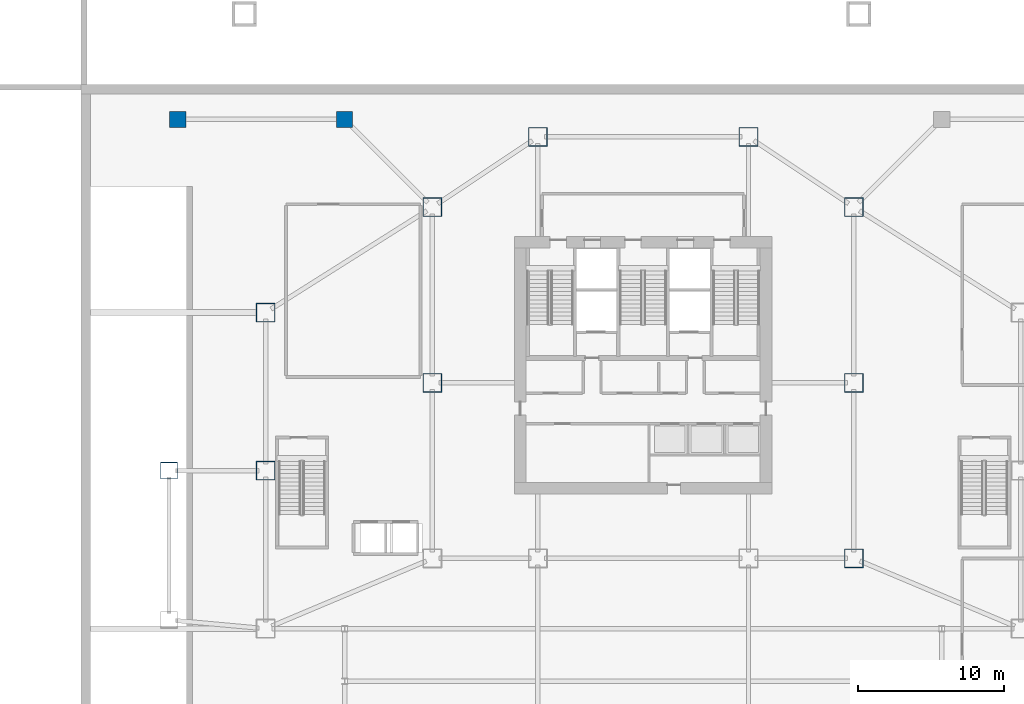
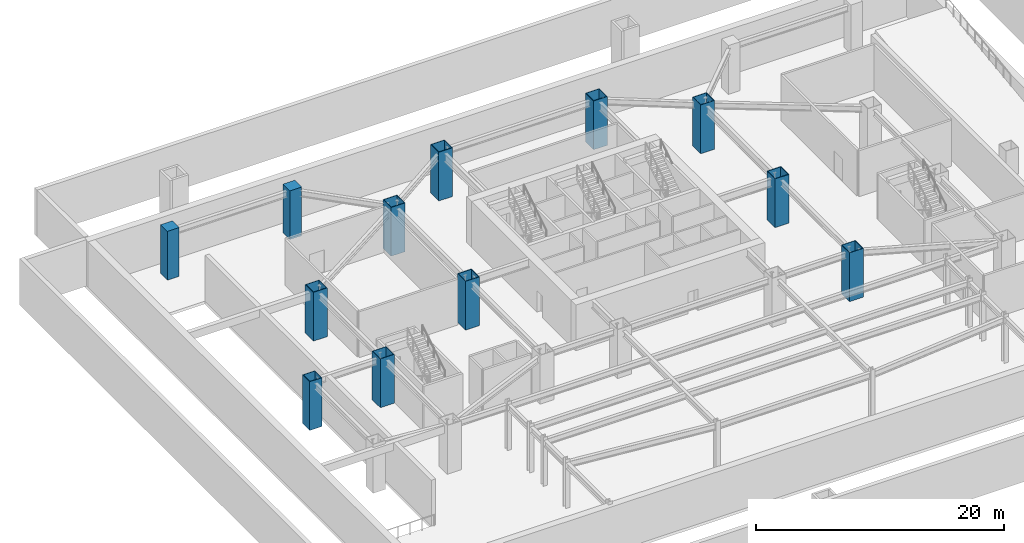
# One storey, part 2 of 15: 12 columns.
"""IFC4 building model written with IfcOpenShell, lengths in metres."""

import ifcopenshell
import ifcopenshell.guid

model = None  # the IFC model being written
_history = None  # IfcOwnerHistory: only IFC2X3 demands one
_inside = {}  # id of a spatial element -> (the spatial element, [elements in it])
_under = {}  # id of a project, library or spatial element -> (it, [spatial elements below it])
_declared = {}  # id of a project -> (the project, [libraries it declares])
_typed = {}  # id of a type object -> (the type object, [elements of that type])
_made_of = {}  # id of a material, layer set ... -> (it, [elements and type objects made of it])


def new_model(schema):
    """Start an empty IFC model of exactly this schema.

    Asked for "IFC4X3", IfcOpenShell would pick the latest addendum, in which some entities
    have other attributes; the version numbers below select the first issue.
    IFC2X3 requires an IfcOwnerHistory on every rooted entity: one is made here for all.
    """
    global model, _history
    if schema == "IFC4X3":
        model = ifcopenshell.file(schema_version=(4, 3, 0, 0))
    else:
        model = ifcopenshell.file(schema=schema)
    _inside.clear()
    _under.clear()
    _declared.clear()
    _typed.clear()
    _made_of.clear()
    _history = None
    if model.schema == "IFC2X3":
        org = make("IfcOrganization", Name="unknown")
        user = make(
            "IfcPersonAndOrganization",
            ThePerson=make("IfcPerson", FamilyName="unknown"),
            TheOrganization=org,
        )
        app = make(
            "IfcApplication",
            ApplicationDeveloper=org,
            Version="unknown",
            ApplicationFullName="unknown",
            ApplicationIdentifier="unknown",
        )
        _history = make(
            "IfcOwnerHistory",
            OwningUser=user,
            OwningApplication=app,
            ChangeAction="ADDED",
            CreationDate=0,
        )
    return model


def make(cls, **values):
    """One entity of the class cls with the attributes given. An attribute that is None is left unset."""
    return model.create_entity(
        cls, **{name: value for name, value in values.items() if value is not None}
    )


def rooted(cls, **values):
    """An entity with a GlobalId (a new one), such as an element, a storey or a relation."""
    return make(cls, GlobalId=ifcopenshell.guid.new(), OwnerHistory=_history, **values)


def si_unit(unit_type, name, prefix=None):
    """IfcSIUnit, for example si_unit("LENGTHUNIT", "METRE", prefix="MILLI")."""
    return make("IfcSIUnit", UnitType=unit_type, Prefix=prefix, Name=name)


def assignment(units):
    """IfcUnitAssignment: the units of a project."""
    return None if units is None else make("IfcUnitAssignment", Units=units)


def point(xyz):
    """IfcCartesianPoint."""
    return None if xyz is None else make("IfcCartesianPoint", Coordinates=xyz)


def direction(xyz):
    """IfcDirection."""
    return None if xyz is None else make("IfcDirection", DirectionRatios=xyz)


def frame(location, z_axis=None, x_axis=None):
    """IfcAxis2Placement3D, a coordinate frame: its origin and axes. An axis left out is left unset."""
    return make(
        "IfcAxis2Placement3D",
        Location=point(location),
        Axis=direction(z_axis),
        RefDirection=direction(x_axis),
    )


def frame_2d(location, x_axis=None):
    """IfcAxis2Placement2D, a coordinate frame in the plane: its origin and x axis."""
    return make(
        "IfcAxis2Placement2D", Location=point(location), RefDirection=direction(x_axis)
    )


def origin():
    """The frame at (0, 0, 0) with its axes left unset."""
    return frame((0.0, 0.0, 0.0))


def origin_2d():
    """The frame at (0, 0) in the plane with its x axis left unset."""
    return frame_2d((0.0, 0.0))


def place(relative_to, where):
    """IfcLocalPlacement: puts the frame where relative to a parent placement (None: the world)."""
    return make(
        "IfcLocalPlacement", PlacementRelTo=relative_to, RelativePlacement=where
    )


def context(
    kind, dimensions, precision=None, world=None, true_north=None, identifier=None
):
    """IfcGeometricRepresentationContext, for example the 3D "Model" context."""
    return make(
        "IfcGeometricRepresentationContext",
        ContextIdentifier=identifier,
        ContextType=kind,
        CoordinateSpaceDimension=dimensions,
        Precision=precision,
        WorldCoordinateSystem=world,
        TrueNorth=true_north,
    )


def subcontext(parent, identifier, kind, view, scale=None):
    """IfcGeometricRepresentationSubContext, for example "Body" below "Model"."""
    return make(
        "IfcGeometricRepresentationSubContext",
        ContextIdentifier=identifier,
        ContextType=kind,
        ParentContext=parent,
        TargetScale=scale,
        TargetView=view,
    )


def project(units=None, contexts=None):
    """IfcProject with its units and contexts."""
    return rooted(
        "IfcProject",
        Name="project",
        RepresentationContexts=contexts,
        UnitsInContext=assignment(units),
    )


def spatial(cls, under=None, at=None, **own):
    """A site, building, storey or space (cls), placed at a placement, below another one or the project."""
    s = rooted(cls, ObjectPlacement=at, **own)
    if under is not None:
        _under.setdefault(under.id(), (under, []))[1].append(s)
    return s


def profile(cls, at=None, kind="AREA", **sizes):
    """A parametric profile (cls). Its sizes go by their IFC names, for example OverallWidth=200.0."""
    return make(cls, ProfileType=kind, Position=at, **sizes)


def rectangle(**sizes):
    """IfcRectangleProfileDef."""
    return profile("IfcRectangleProfileDef", **sizes)


def hollow_rectangle(**sizes):
    """IfcRectangleHollowProfileDef."""
    return profile("IfcRectangleHollowProfileDef", **sizes)


def extrude(swept, where, along, depth):
    """IfcExtrudedAreaSolid: the profile swept, set in the frame where, extruded along a direction by depth."""
    return make(
        "IfcExtrudedAreaSolid",
        SweptArea=swept,
        Position=where,
        ExtrudedDirection=direction(along),
        Depth=depth,
    )


def shape(context_of_items, identifier, shape_type, items):
    """IfcShapeRepresentation: the items that make up one representation, for example the "Body"."""
    return make(
        "IfcShapeRepresentation",
        ContextOfItems=context_of_items,
        RepresentationIdentifier=identifier,
        RepresentationType=shape_type,
        Items=items,
    )


def material(Name=None, Category=None):
    """IfcMaterial."""
    return make("IfcMaterial", Name=Name, Category=Category)


def material_profile(
    of_material, cross_section, Name=None, Category=None, Priority=None
):
    """IfcMaterialProfile: a cross section and its material."""
    return make(
        "IfcMaterialProfile",
        Name=Name,
        Material=of_material,
        Profile=cross_section,
        Priority=Priority,
        Category=Category,
    )


def profile_set(profiles, Name=None, composite=None):
    """IfcMaterialProfileSet."""
    return make(
        "IfcMaterialProfileSet",
        Name=Name,
        MaterialProfiles=profiles,
        CompositeProfile=composite,
    )


def made_of(thing, what):
    """Note that an element or type object is made of a material, layer set ...; save() writes the relation."""
    if what is not None:
        _made_of.setdefault(what.id(), (what, []))[1].append(thing)
    return thing


def type_object(cls, material=None, **own):
    """A type object (cls), such as IfcWallType, which elements share."""
    return made_of(rooted(cls, **own), material)


def element(
    cls,
    number,
    at=None,
    inside=None,
    cuts=None,
    type_object=None,
    material=None,
    context=None,
    identifier="Body",
    shape_type=None,
    held_by="IfcProductDefinitionShape",
    body=None,
    shapes=None,
    **own,
):
    """One element of the class cls, such as IfcWall. Its Tag is "e" and its number.

    at: its placement. inside: the storey or other place that contains it. cuts: it is an
    opening in that element (IfcRelVoidsElement). A single representation is given by context,
    identifier, shape_type and body (its items); several are given by shapes. held_by: the class
    of the entity that holds the representations. save() writes the other relations.
    """
    e = rooted(cls, Tag="e%d" % number, ObjectPlacement=at, **own)
    if body is not None:
        shapes = [shape(context, identifier, shape_type, body)]
    if shapes is not None:
        e.Representation = make(held_by, Representations=shapes)
    if inside is not None:
        _inside.setdefault(inside.id(), (inside, []))[1].append(e)
    if cuts is not None:
        rooted(
            "IfcRelVoidsElement", RelatingBuildingElement=cuts, RelatedOpeningElement=e
        )
    if type_object is not None:
        _typed.setdefault(type_object.id(), (type_object, []))[1].append(e)
    return made_of(e, material)


def aggregate(whole, parts):
    """IfcRelAggregates: a whole, such as a stair, and the parts it consists of."""
    return rooted("IfcRelAggregates", RelatingObject=whole, RelatedObjects=parts)


def save(model, path):
    """Write the relations noted so far, then the file.

    IfcRelAggregates (storeys below a building ...), IfcRelContainedInSpatialStructure (elements
    in a storey), IfcRelDefinesByType, IfcRelAssociatesMaterial and IfcRelDeclares: one each for
    every whole, place, type object, material and project.
    """
    for whole, parts in _under.values():
        aggregate(whole, parts)
    for where, things in _inside.values():
        rooted(
            "IfcRelContainedInSpatialStructure",
            RelatedElements=things,
            RelatingStructure=where,
        )
    for kind, things in _typed.values():
        rooted("IfcRelDefinesByType", RelatedObjects=things, RelatingType=kind)
    for what, things in _made_of.values():
        rooted("IfcRelAssociatesMaterial", RelatedObjects=things, RelatingMaterial=what)
    for by, libraries in _declared.values():
        rooted("IfcRelDeclares", RelatingContext=by, RelatedDefinitions=libraries)
    model.write(path)


model = new_model("IFC4")

# Units and contexts
model_context = context("Model", 3, precision=1e-05, world=origin(), true_north=direction((0.0, 1.0)))
body_context = subcontext(model_context, "Body", "Model", "MODEL_VIEW")
ifc_project = project(units=[si_unit("LENGTHUNIT", "METRE"), si_unit("AREAUNIT", "SQUARE_METRE"), si_unit("VOLUMEUNIT", "CUBIC_METRE"), si_unit("PLANEANGLEUNIT", "RADIAN"), si_unit("MASSUNIT", "GRAM", prefix="KILO")], contexts=[model_context])

# Site, building, storey
site_placement = place(None, origin())
site = spatial("IfcSite", under=ifc_project, at=site_placement, CompositionType="ELEMENT")
building_placement = place(site_placement, origin())
building = spatial("IfcBuilding", under=site, at=building_placement, Name="Haolan Belvedere Tower", CompositionType="ELEMENT")
storey_placement = place(building_placement, frame((0.0, 0.0, -4.800048828125)))
storey = spatial("IfcBuildingStorey", under=building, at=storey_placement, Name="B1", CompositionType="ELEMENT", Elevation=-4.800048828125)

# Columns
ifc_material_1 = material(Name="Steel Q355B", Category="steel")
ifc_material_profile_1 = material_profile(ifc_material_1, hollow_rectangle(XDim=1.14990234375, YDim=1.14990234375, WallThickness=0.0419921875, at=origin_2d()), Name="Steel Q355B")
ifc_profile_set_1 = profile_set([ifc_material_profile_1], Name="Steel Q355B")
column_type_1 = type_object("IfcColumnType", Name="COL-BOX1150x1150x42", PredefinedType="COLUMN", material=ifc_profile_set_1)
column_placement = place(storey_placement, frame((6.0, 27.60009765625, 0.0), z_axis=(0.0, 0.0, 1.0), x_axis=(1.0, 0.0, 0.0)))
element("IfcColumn", 1, at=column_placement, inside=storey, type_object=column_type_1, Name="B1 column MC-T1-NW (BOX1150x1150x42)", PredefinedType="COLUMN", context=body_context, shape_type="SweptSolid", body=[
    extrude(hollow_rectangle(XDim=1.14990234375, YDim=1.14990234375, WallThickness=0.0419921875, at=origin_2d()), origin(), (0.0, 0.0, 1.0), 4.800048828125),
])
ifc_material_profile_2 = material_profile(ifc_material_1, hollow_rectangle(XDim=1.300048828125, YDim=1.300048828125, WallThickness=0.048095703125, at=origin_2d()), Name="Steel Q355B")
ifc_profile_set_2 = profile_set([ifc_material_profile_2], Name="Steel Q355B")
column_type_2 = type_object("IfcColumnType", Name="COL-BOX1300x1300x48", PredefinedType="COLUMN", material=ifc_profile_set_2)
for number, where, z_axis, x_axis, name in (
    (2, (24.0, 33.60009765625, 0.0), (0.0, 0.0, 1.0), (1.0, 0.0, 0.0), "B1 column MC-T3-MW (BOX1300x1300x48)"),
    (3, (24.0, 45.60009765625, 0.0), (0.0, 0.0, 1.0), (1.0, 0.0, 0.0), "B1 column MC-T3-NW (BOX1300x1300x48)"),
    (4, (52.800048828125, 21.60009765625, 0.0), (0.0, 0.0, 1.0), (1.0, 0.0, 0.0), "B1 column MC-T3-SE (BOX1300x1300x48)"),
    (5, (52.800048828125, 33.60009765625, 0.0), (0.0, 0.0, 1.0), (1.0, 0.0, 0.0), "B1 column MC-T3-ME (BOX1300x1300x48)"),
    (6, (52.800048828125, 45.60009765625, 0.0), (0.0, 0.0, 1.0), (1.0, 0.0, 0.0), "B1 column MC-T3-NE (BOX1300x1300x48)"),
    (7, (31.199951171875, 50.39990234375, 0.0), (0.0, 0.0, 1.0), (1.0, 0.0, 0.0), "B1 column MC-T3-N1 (BOX1300x1300x48)"),
    (8, (45.60009765625, 50.39990234375, 0.0), (0.0, 0.0, 1.0), (1.0, 0.0, 0.0), "B1 column MC-T3-N2 (BOX1300x1300x48)"),
    (9, (12.60009765625, 27.60009765625, 0.0), (0.0, 0.0, 1.0), (1.0, 0.0, 0.0), "B1 column MC-T2-MW (BOX1300x1300x48)"),
    (10, (12.60009765625, 38.39990234375, 0.0), (0.0, 0.0, 1.0), (1.0, 0.0, 0.0), "B1 column MC-T2-NW (BOX1300x1300x48)"),
):
    element("IfcColumn", number, at=place(storey_placement, frame(where, z_axis=z_axis, x_axis=x_axis)), inside=storey, type_object=column_type_2, Name=name, PredefinedType="COLUMN", context=body_context, shape_type="SweptSolid", body=[
        extrude(hollow_rectangle(XDim=1.300048828125, YDim=1.300048828125, WallThickness=0.048095703125, at=origin_2d()), origin(), (0.0, 0.0, 1.0), 4.800048828125),
    ])
ifc_material_2 = material(Name="Concrete C50/60", Category="concrete")
ifc_material_profile_3 = material_profile(ifc_material_2, rectangle(XDim=1.10009765625, YDim=1.10009765625, at=origin_2d()), Name="Concrete C50/60")
ifc_profile_set_3 = profile_set([ifc_material_profile_3], Name="Concrete C50/60")
column_type_3 = type_object("IfcColumnType", Name="COL-RC1100x1100", PredefinedType="COLUMN", material=ifc_profile_set_3)
for number, where, z_axis, x_axis, name in (
    (11, (6.60009765625, 51.60009765625, 0.0), (0.0, 0.0, 1.0), (1.0, 0.0, 0.0), "B1 column PC-NW-1 (RC1100x1100)"),
    (12, (18.0, 51.60009765625, 0.0), (0.0, 0.0, 1.0), (1.0, 0.0, 0.0), "B1 column PC-NW-2 (RC1100x1100)"),
):
    element("IfcColumn", number, at=place(storey_placement, frame(where, z_axis=z_axis, x_axis=x_axis)), inside=storey, type_object=column_type_3, Name=name, PredefinedType="COLUMN", context=body_context, shape_type="SweptSolid", body=[
        extrude(rectangle(XDim=1.10009765625, YDim=1.10009765625, at=origin_2d()), origin(), (0.0, 0.0, 1.0), 4.800048828125),
    ])

save(model, "model.ifc")
